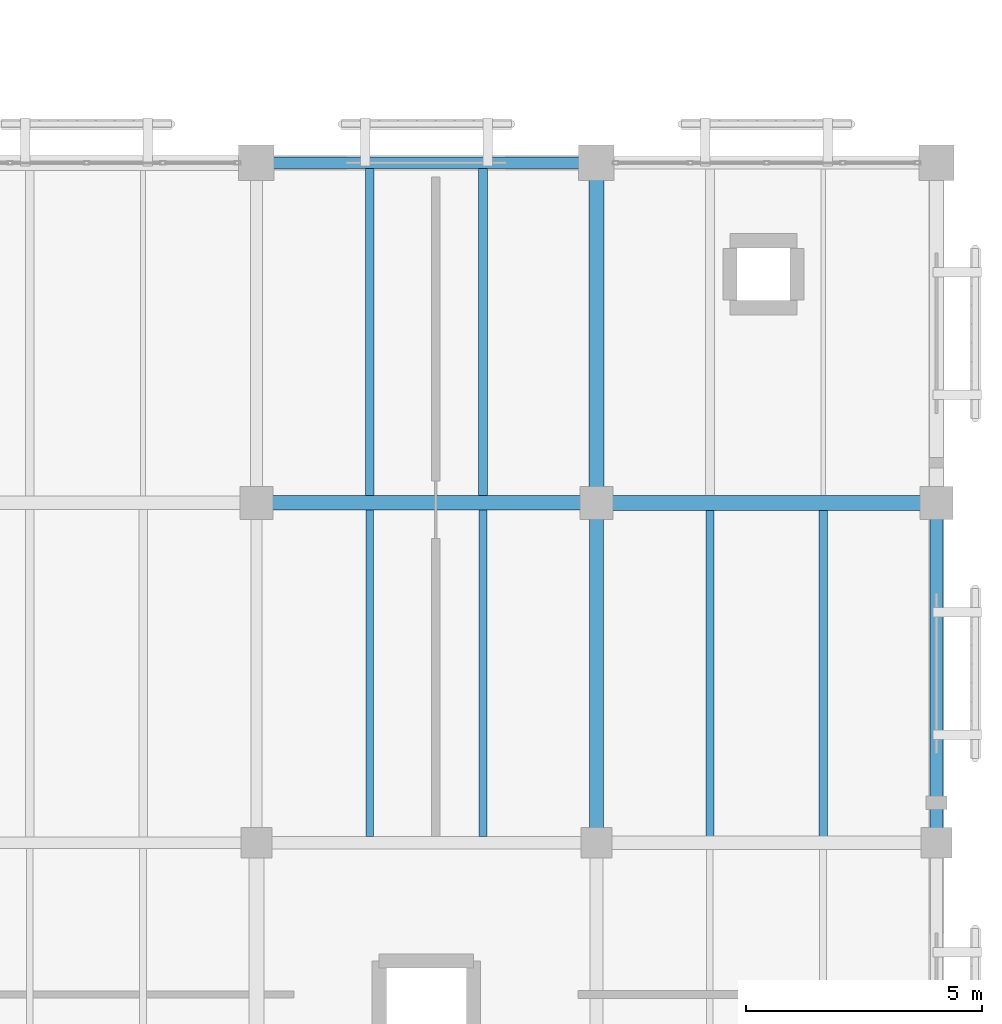
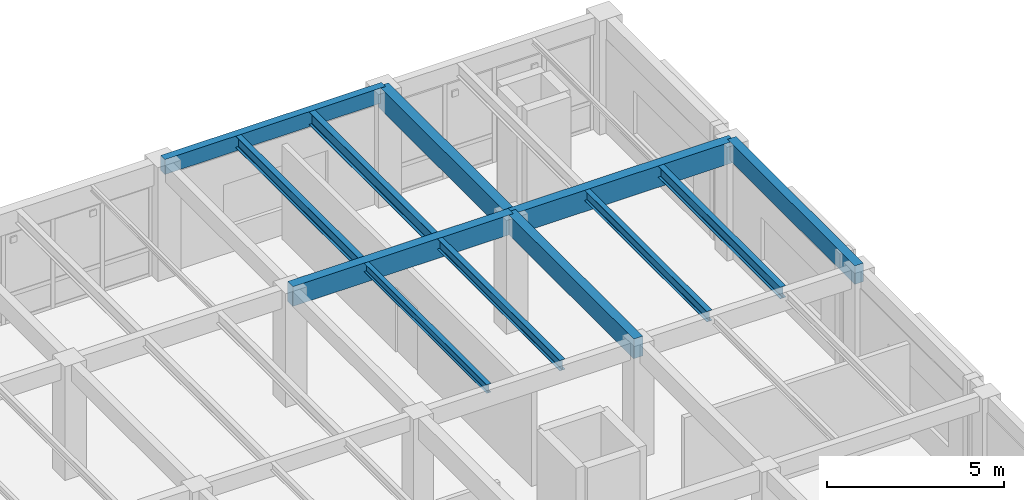
# One storey, part 114 of 170: 12 beams.
"""IFC4 building model written with IfcOpenShell, lengths in metres."""

import ifcopenshell
import ifcopenshell.guid

model = None  # the IFC model being written
_history = None  # IfcOwnerHistory: only IFC2X3 demands one
_inside = {}  # id of a spatial element -> (the spatial element, [elements in it])
_under = {}  # id of a project, library or spatial element -> (it, [spatial elements below it])
_declared = {}  # id of a project -> (the project, [libraries it declares])
_typed = {}  # id of a type object -> (the type object, [elements of that type])
_made_of = {}  # id of a material, layer set ... -> (it, [elements and type objects made of it])


def new_model(schema):
    """Start an empty IFC model of exactly this schema.

    Asked for "IFC4X3", IfcOpenShell would pick the latest addendum, in which some entities
    have other attributes; the version numbers below select the first issue.
    IFC2X3 requires an IfcOwnerHistory on every rooted entity: one is made here for all.
    """
    global model, _history
    if schema == "IFC4X3":
        model = ifcopenshell.file(schema_version=(4, 3, 0, 0))
    else:
        model = ifcopenshell.file(schema=schema)
    _inside.clear()
    _under.clear()
    _declared.clear()
    _typed.clear()
    _made_of.clear()
    _history = None
    if model.schema == "IFC2X3":
        org = make("IfcOrganization", Name="unknown")
        user = make(
            "IfcPersonAndOrganization",
            ThePerson=make("IfcPerson", FamilyName="unknown"),
            TheOrganization=org,
        )
        app = make(
            "IfcApplication",
            ApplicationDeveloper=org,
            Version="unknown",
            ApplicationFullName="unknown",
            ApplicationIdentifier="unknown",
        )
        _history = make(
            "IfcOwnerHistory",
            OwningUser=user,
            OwningApplication=app,
            ChangeAction="ADDED",
            CreationDate=0,
        )
    return model


def make(cls, **values):
    """One entity of the class cls with the attributes given. An attribute that is None is left unset."""
    return model.create_entity(
        cls, **{name: value for name, value in values.items() if value is not None}
    )


def rooted(cls, **values):
    """An entity with a GlobalId (a new one), such as an element, a storey or a relation."""
    return make(cls, GlobalId=ifcopenshell.guid.new(), OwnerHistory=_history, **values)


def si_unit(unit_type, name, prefix=None):
    """IfcSIUnit, for example si_unit("LENGTHUNIT", "METRE", prefix="MILLI")."""
    return make("IfcSIUnit", UnitType=unit_type, Prefix=prefix, Name=name)


def assignment(units):
    """IfcUnitAssignment: the units of a project."""
    return None if units is None else make("IfcUnitAssignment", Units=units)


def point(xyz):
    """IfcCartesianPoint."""
    return None if xyz is None else make("IfcCartesianPoint", Coordinates=xyz)


def direction(xyz):
    """IfcDirection."""
    return None if xyz is None else make("IfcDirection", DirectionRatios=xyz)


def frame(location, z_axis=None, x_axis=None):
    """IfcAxis2Placement3D, a coordinate frame: its origin and axes. An axis left out is left unset."""
    return make(
        "IfcAxis2Placement3D",
        Location=point(location),
        Axis=direction(z_axis),
        RefDirection=direction(x_axis),
    )


def frame_2d(location, x_axis=None):
    """IfcAxis2Placement2D, a coordinate frame in the plane: its origin and x axis."""
    return make(
        "IfcAxis2Placement2D", Location=point(location), RefDirection=direction(x_axis)
    )


def origin():
    """The frame at (0, 0, 0) with its axes left unset."""
    return frame((0.0, 0.0, 0.0))


def origin_2d():
    """The frame at (0, 0) in the plane with its x axis left unset."""
    return frame_2d((0.0, 0.0))


def place(relative_to, where):
    """IfcLocalPlacement: puts the frame where relative to a parent placement (None: the world)."""
    return make(
        "IfcLocalPlacement", PlacementRelTo=relative_to, RelativePlacement=where
    )


def context(
    kind, dimensions, precision=None, world=None, true_north=None, identifier=None
):
    """IfcGeometricRepresentationContext, for example the 3D "Model" context."""
    return make(
        "IfcGeometricRepresentationContext",
        ContextIdentifier=identifier,
        ContextType=kind,
        CoordinateSpaceDimension=dimensions,
        Precision=precision,
        WorldCoordinateSystem=world,
        TrueNorth=true_north,
    )


def subcontext(parent, identifier, kind, view, scale=None):
    """IfcGeometricRepresentationSubContext, for example "Body" below "Model"."""
    return make(
        "IfcGeometricRepresentationSubContext",
        ContextIdentifier=identifier,
        ContextType=kind,
        ParentContext=parent,
        TargetScale=scale,
        TargetView=view,
    )


def project(units=None, contexts=None):
    """IfcProject with its units and contexts."""
    return rooted(
        "IfcProject",
        Name="project",
        RepresentationContexts=contexts,
        UnitsInContext=assignment(units),
    )


def spatial(cls, under=None, at=None, **own):
    """A site, building, storey or space (cls), placed at a placement, below another one or the project."""
    s = rooted(cls, ObjectPlacement=at, **own)
    if under is not None:
        _under.setdefault(under.id(), (under, []))[1].append(s)
    return s


def profile(cls, at=None, kind="AREA", **sizes):
    """A parametric profile (cls). Its sizes go by their IFC names, for example OverallWidth=200.0."""
    return make(cls, ProfileType=kind, Position=at, **sizes)


def rectangle(**sizes):
    """IfcRectangleProfileDef."""
    return profile("IfcRectangleProfileDef", **sizes)


def i_section(**sizes):
    """IfcIShapeProfileDef."""
    return profile("IfcIShapeProfileDef", **sizes)


def extrude(swept, where, along, depth):
    """IfcExtrudedAreaSolid: the profile swept, set in the frame where, extruded along a direction by depth."""
    return make(
        "IfcExtrudedAreaSolid",
        SweptArea=swept,
        Position=where,
        ExtrudedDirection=direction(along),
        Depth=depth,
    )


def shape(context_of_items, identifier, shape_type, items):
    """IfcShapeRepresentation: the items that make up one representation, for example the "Body"."""
    return make(
        "IfcShapeRepresentation",
        ContextOfItems=context_of_items,
        RepresentationIdentifier=identifier,
        RepresentationType=shape_type,
        Items=items,
    )


def material(Name=None, Category=None):
    """IfcMaterial."""
    return make("IfcMaterial", Name=Name, Category=Category)


def material_profile(
    of_material, cross_section, Name=None, Category=None, Priority=None
):
    """IfcMaterialProfile: a cross section and its material."""
    return make(
        "IfcMaterialProfile",
        Name=Name,
        Material=of_material,
        Profile=cross_section,
        Priority=Priority,
        Category=Category,
    )


def profile_set(profiles, Name=None, composite=None):
    """IfcMaterialProfileSet."""
    return make(
        "IfcMaterialProfileSet",
        Name=Name,
        MaterialProfiles=profiles,
        CompositeProfile=composite,
    )


def made_of(thing, what):
    """Note that an element or type object is made of a material, layer set ...; save() writes the relation."""
    if what is not None:
        _made_of.setdefault(what.id(), (what, []))[1].append(thing)
    return thing


def type_object(cls, material=None, **own):
    """A type object (cls), such as IfcWallType, which elements share."""
    return made_of(rooted(cls, **own), material)


def element(
    cls,
    number,
    at=None,
    inside=None,
    cuts=None,
    type_object=None,
    material=None,
    context=None,
    identifier="Body",
    shape_type=None,
    held_by="IfcProductDefinitionShape",
    body=None,
    shapes=None,
    **own,
):
    """One element of the class cls, such as IfcWall. Its Tag is "e" and its number.

    at: its placement. inside: the storey or other place that contains it. cuts: it is an
    opening in that element (IfcRelVoidsElement). A single representation is given by context,
    identifier, shape_type and body (its items); several are given by shapes. held_by: the class
    of the entity that holds the representations. save() writes the other relations.
    """
    e = rooted(cls, Tag="e%d" % number, ObjectPlacement=at, **own)
    if body is not None:
        shapes = [shape(context, identifier, shape_type, body)]
    if shapes is not None:
        e.Representation = make(held_by, Representations=shapes)
    if inside is not None:
        _inside.setdefault(inside.id(), (inside, []))[1].append(e)
    if cuts is not None:
        rooted(
            "IfcRelVoidsElement", RelatingBuildingElement=cuts, RelatedOpeningElement=e
        )
    if type_object is not None:
        _typed.setdefault(type_object.id(), (type_object, []))[1].append(e)
    return made_of(e, material)


def aggregate(whole, parts):
    """IfcRelAggregates: a whole, such as a stair, and the parts it consists of."""
    return rooted("IfcRelAggregates", RelatingObject=whole, RelatedObjects=parts)


def save(model, path):
    """Write the relations noted so far, then the file.

    IfcRelAggregates (storeys below a building ...), IfcRelContainedInSpatialStructure (elements
    in a storey), IfcRelDefinesByType, IfcRelAssociatesMaterial and IfcRelDeclares: one each for
    every whole, place, type object, material and project.
    """
    for whole, parts in _under.values():
        aggregate(whole, parts)
    for where, things in _inside.values():
        rooted(
            "IfcRelContainedInSpatialStructure",
            RelatedElements=things,
            RelatingStructure=where,
        )
    for kind, things in _typed.values():
        rooted("IfcRelDefinesByType", RelatedObjects=things, RelatingType=kind)
    for what, things in _made_of.values():
        rooted("IfcRelAssociatesMaterial", RelatedObjects=things, RelatingMaterial=what)
    for by, libraries in _declared.values():
        rooted("IfcRelDeclares", RelatingContext=by, RelatedDefinitions=libraries)
    model.write(path)


model = new_model("IFC4")

# Units and contexts
model_context = context("Model", 3, precision=1e-05, world=origin(), true_north=direction((0.0, 1.0)))
body_context = subcontext(model_context, "Body", "Model", "MODEL_VIEW")
ifc_project = project(units=[si_unit("LENGTHUNIT", "METRE"), si_unit("AREAUNIT", "SQUARE_METRE"), si_unit("VOLUMEUNIT", "CUBIC_METRE"), si_unit("PLANEANGLEUNIT", "RADIAN"), si_unit("MASSUNIT", "GRAM", prefix="KILO")], contexts=[model_context])

# Site, building, storey
site_placement = place(None, origin())
site = spatial("IfcSite", under=ifc_project, at=site_placement, CompositionType="ELEMENT")
building_placement = place(site_placement, origin())
building = spatial("IfcBuilding", under=site, at=building_placement, Name="Mazaris Harbour Polytechnic", CompositionType="ELEMENT")
storey_placement = place(building_placement, frame((0.0, 0.0, 5.39990234375)))
storey = spatial("IfcBuildingStorey", under=building, at=storey_placement, Name="L01", CompositionType="ELEMENT", Elevation=5.39990234375)

# Beams
ifc_material_1 = material(Name="Glulam GL32h", Category="wood")
ifc_material_profile_1 = material_profile(ifc_material_1, rectangle(XDim=0.239990234375, YDim=0.52001953125, at=origin_2d()), Name="RECT240x520")
ifc_profile_set_1 = profile_set([ifc_material_profile_1], Name="Glulam GL32h")
beam_type_1 = type_object("IfcBeamType", Name="Glulam Girder 240x520 Exterior", PredefinedType="BEAM", material=ifc_profile_set_1)
beam_1_placement = place(storey_placement, frame((158.39990234375, 108.0, 3.66015625), z_axis=(1.0, 0.0, 0.0), x_axis=(0.0, 1.0, 0.0)))
element("IfcBeam", 1, at=beam_1_placement, inside=storey, type_object=beam_type_1, Name="V5 L01 Girder 2965", PredefinedType="BEAM", context=body_context, shape_type="SweptSolid", body=[
    extrude(rectangle(XDim=0.239990234375, YDim=0.52001953125, at=origin_2d()), origin(), (0.0, 0.0, 1.0), 7.2001953125),
])
ifc_material_2 = material(Name="Glulam GL32h", Category="wood")
ifc_material_profile_2 = material_profile(ifc_material_2, rectangle(XDim=0.280029296875, YDim=0.639892578125, at=origin_2d()), Name="RECT280x640")
ifc_profile_set_2 = profile_set([ifc_material_profile_2], Name="Glulam GL32h")
beam_type_2 = type_object("IfcBeamType", Name="Glulam Girder 280x640 Exterior", PredefinedType="BEAM", material=ifc_profile_set_2)
beam_2_placement = place(storey_placement, frame((172.800048828125, 93.60009765625, 3.60009765625), z_axis=(0.0, 1.0, 0.0), x_axis=(-1.0, 0.0, 0.0)))
element("IfcBeam", 2, at=beam_2_placement, inside=storey, type_object=beam_type_2, Name="V5 L01 Tie Girder 3027", PredefinedType="BEAM", context=body_context, shape_type="SweptSolid", body=[
    extrude(rectangle(XDim=0.280029296875, YDim=0.639892578125, at=origin_2d()), origin(), (0.0, 0.0, 1.0), 7.199951171875),
])
ifc_material_3 = material(Name="Glulam GL32h", Category="wood")
ifc_material_profile_3 = material_profile(ifc_material_3, rectangle(XDim=0.300048828125, YDim=0.679931640625, at=origin_2d()), Name="RECT300x680")
ifc_profile_set_3 = profile_set([ifc_material_profile_3], Name="Glulam GL32h")
beam_type_3 = type_object("IfcBeamType", Name="Glulam Girder 300x680", PredefinedType="BEAM", material=ifc_profile_set_3)
beam_3_placement = place(storey_placement, frame((158.39990234375, 100.800048828125, 3.580078125), z_axis=(1.0, 0.0, 0.0), x_axis=(0.0, 1.0, 0.0)))
element("IfcBeam", 3, at=beam_3_placement, inside=storey, type_object=beam_type_3, Name="V5 L01 Girder 2958", PredefinedType="BEAM", context=body_context, shape_type="SweptSolid", body=[
    extrude(rectangle(XDim=0.300048828125, YDim=0.679931640625, at=origin_2d()), origin(), (0.0, 0.0, 1.0), 7.2001953125),
])
beam_4_placement = place(storey_placement, frame((165.60009765625, 93.60009765625, 3.580078125), z_axis=(0.0, 1.0, 0.0), x_axis=(-1.0, 0.0, 0.0)))
element("IfcBeam", 4, at=beam_4_placement, inside=storey, type_object=beam_type_3, Name="V5 L01 Tie Girder 3018", PredefinedType="BEAM", context=body_context, shape_type="SweptSolid", body=[
    extrude(rectangle(XDim=0.300048828125, YDim=0.679931640625, at=origin_2d()), origin(), (0.0, 0.0, 1.0), 7.199951171875),
])
ifc_material_4 = material(Name="Glulam GL32h", Category="wood")
ifc_material_profile_4 = material_profile(ifc_material_4, rectangle(XDim=0.320068359375, YDim=0.739990234375, at=origin_2d()), Name="RECT320x740")
ifc_profile_set_4 = profile_set([ifc_material_profile_4], Name="Glulam GL32h")
beam_type_4 = type_object("IfcBeamType", Name="Glulam Girder 320x740", PredefinedType="BEAM", material=ifc_profile_set_4)
for number, where, z_axis, x_axis, name in (
    (5, (165.60009765625, 100.800048828125, 3.550048828125), (1.0, 0.0, 0.0), (0.0, 1.0, 0.0), "V5 L01 Girder 2959"),
    (6, (165.60009765625, 100.800048828125, 3.550048828125), (0.0, 1.0, 0.0), (-1.0, 0.0, 0.0), "V5 L01 Tie Girder 3019"),
):
    element("IfcBeam", number, at=place(storey_placement, frame(where, z_axis=z_axis, x_axis=x_axis)), inside=storey, type_object=beam_type_4, Name=name, PredefinedType="BEAM", context=body_context, shape_type="SweptSolid", body=[
        extrude(rectangle(XDim=0.320068359375, YDim=0.739990234375, at=origin_2d()), origin(), (0.0, 0.0, 1.0), 7.199951171875),
    ])
ifc_material_5 = material(Name="Steel S355", Category="steel")
ifc_material_profile_5 = material_profile(ifc_material_5, i_section(OverallWidth=0.14990234375, OverallDepth=0.300048828125, WebThickness=0.007080078125, FlangeThickness=0.0107421875, FilletRadius=0.014892578125, at=origin_2d()), Name="IPE 300")
ifc_profile_set_5 = profile_set([ifc_material_profile_5], Name="Steel S355")
beam_type_5 = type_object("IfcBeamType", Name="Steel Joist IPE300", PredefinedType="JOIST", material=ifc_profile_set_5)
beam_5_placement = place(storey_placement, frame((160.800048828125, 93.72998046875, 3.77001953125), z_axis=(0.0, 1.0, 0.0), x_axis=(-1.0, 0.0, 0.0)))
element("IfcBeam", 7, at=beam_5_placement, inside=storey, type_object=beam_type_5, Name="V5 L01 Floor Joist 3097", PredefinedType="JOIST", context=body_context, shape_type="SweptSolid", body=[
    extrude(i_section(OverallWidth=0.14990234375, OverallDepth=0.300048828125, WebThickness=0.007080078125, FlangeThickness=0.0107421875, FilletRadius=0.014892578125, at=origin_2d()), origin(), (0.0, 0.0, 1.0), 6.919921875),
])
ifc_material_6 = material(Name="Steel S355", Category="steel")
ifc_material_profile_6 = material_profile(ifc_material_6, i_section(OverallWidth=0.169921875, OverallDepth=0.360107421875, WebThickness=0.008056640625, FlangeThickness=0.0126953125, FilletRadius=0.01806640625, at=origin_2d()), Name="IPE 360")
ifc_profile_set_6 = profile_set([ifc_material_profile_6], Name="Steel S355")
beam_type_6 = type_object("IfcBeamType", Name="Steel Joist IPE360", PredefinedType="JOIST", material=ifc_profile_set_6)
beam_6_placement = place(storey_placement, frame((163.199951171875, 93.72998046875, 3.739990234375), z_axis=(0.0, 1.0, 0.0), x_axis=(-1.0, 0.0, 0.0)))
element("IfcBeam", 8, at=beam_6_placement, inside=storey, type_object=beam_type_6, Name="V5 L01 Floor Joist 3098", PredefinedType="JOIST", context=body_context, shape_type="SweptSolid", body=[
    extrude(i_section(OverallWidth=0.169921875, OverallDepth=0.360107421875, WebThickness=0.008056640625, FlangeThickness=0.0126953125, FilletRadius=0.01806640625, at=origin_2d()), origin(), (0.0, 0.0, 1.0), 6.919921875),
])
beam_7_placement = place(storey_placement, frame((168.0, 93.739990234375, 3.739990234375), z_axis=(0.0, 1.0, 0.0), x_axis=(-1.0, 0.0, 0.0)))
element("IfcBeam", 9, at=beam_7_placement, inside=storey, type_object=beam_type_6, Name="V5 L01 Floor Joist 3112", PredefinedType="JOIST", context=body_context, shape_type="SweptSolid", body=[
    extrude(i_section(OverallWidth=0.169921875, OverallDepth=0.360107421875, WebThickness=0.008056640625, FlangeThickness=0.0126953125, FilletRadius=0.01806640625, at=origin_2d()), origin(), (0.0, 0.0, 1.0), 6.89990234375),
])
ifc_material_7 = material(Name="Steel S355", Category="steel")
ifc_material_profile_7 = material_profile(ifc_material_7, i_section(OverallWidth=0.179931640625, OverallDepth=0.39990234375, WebThickness=0.008544921875, FlangeThickness=0.013427734375, FilletRadius=0.02099609375, at=origin_2d()), Name="IPE 400")
ifc_profile_set_7 = profile_set([ifc_material_profile_7], Name="Steel S355")
beam_type_7 = type_object("IfcBeamType", Name="Steel Joist IPE400", PredefinedType="JOIST", material=ifc_profile_set_7)
beam_8_placement = place(storey_placement, frame((160.800048828125, 100.949951171875, 3.72021484375), z_axis=(0.0, 1.0, 0.0), x_axis=(-1.0, 0.0, 0.0)))
element("IfcBeam", 10, at=beam_8_placement, inside=storey, type_object=beam_type_7, Name="V5 L01 Floor Joist 3099", PredefinedType="JOIST", context=body_context, shape_type="SweptSolid", body=[
    extrude(i_section(OverallWidth=0.179931640625, OverallDepth=0.39990234375, WebThickness=0.008544921875, FlangeThickness=0.013427734375, FilletRadius=0.02099609375, at=origin_2d()), origin(), (0.0, 0.0, 1.0), 6.929931640625),
])
beam_9_placement = place(storey_placement, frame((170.39990234375, 93.739990234375, 3.72021484375), z_axis=(0.0, 1.0, 0.0), x_axis=(-1.0, 0.0, 0.0)))
element("IfcBeam", 11, at=beam_9_placement, inside=storey, type_object=beam_type_7, Name="V5 L01 Floor Joist 3113", PredefinedType="JOIST", context=body_context, shape_type="SweptSolid", body=[
    extrude(i_section(OverallWidth=0.179931640625, OverallDepth=0.39990234375, WebThickness=0.008544921875, FlangeThickness=0.013427734375, FilletRadius=0.02099609375, at=origin_2d()), origin(), (0.0, 0.0, 1.0), 6.89990234375),
])
ifc_material_8 = material(Name="Steel S355", Category="steel")
ifc_material_profile_8 = material_profile(ifc_material_8, i_section(OverallWidth=0.18994140625, OverallDepth=0.449951171875, WebThickness=0.009521484375, FlangeThickness=0.0146484375, FilletRadius=0.02099609375, at=origin_2d()), Name="IPE 450")
ifc_profile_set_8 = profile_set([ifc_material_profile_8], Name="Steel S355")
beam_type_8 = type_object("IfcBeamType", Name="Steel Joist IPE450", PredefinedType="JOIST", material=ifc_profile_set_8)
beam_10_placement = place(storey_placement, frame((163.199951171875, 100.949951171875, 3.695068359375), z_axis=(0.0, 1.0, 0.0), x_axis=(-1.0, 0.0, 0.0)))
element("IfcBeam", 12, at=beam_10_placement, inside=storey, type_object=beam_type_8, Name="V5 L01 Floor Joist 3100", PredefinedType="JOIST", context=body_context, shape_type="SweptSolid", body=[
    extrude(i_section(OverallWidth=0.18994140625, OverallDepth=0.449951171875, WebThickness=0.009521484375, FlangeThickness=0.0146484375, FilletRadius=0.02099609375, at=origin_2d()), origin(), (0.0, 0.0, 1.0), 6.929931640625),
])

save(model, "model.ifc")
